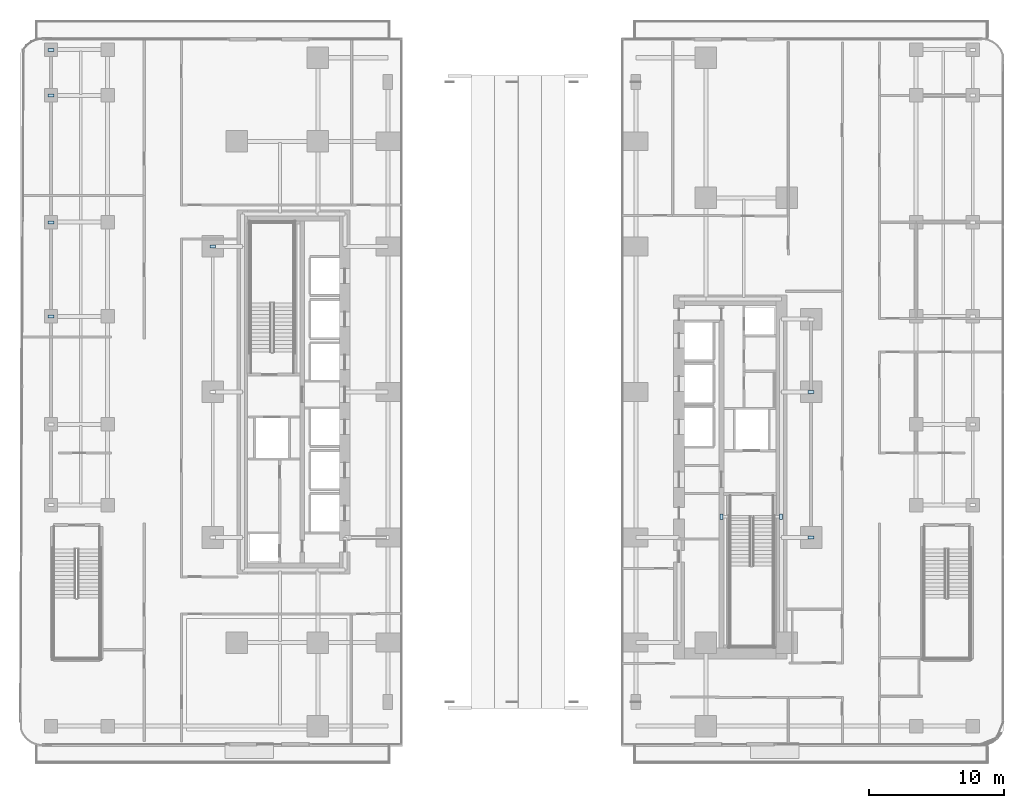
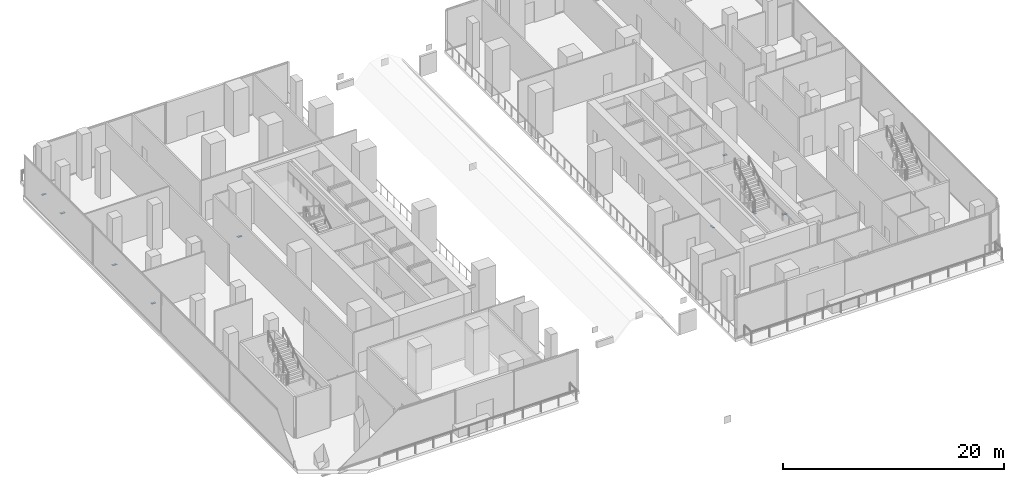
# One storey, part 8 of 32: 9 plates.
"""IFC4 building model written with IfcOpenShell, lengths in metres."""

from ifc_helpers import new_model, si_unit, direction, frame, origin, origin_2d, place, context, subcontext, project, spatial, rectangle, extrude, material, layer, layer_set, type_object, element, save


model = new_model("IFC4")

# Units and contexts
model_context = context("Model", 3, precision=1e-05, world=origin(), true_north=direction((0.0, 1.0)))
body_context = subcontext(model_context, "Body", "Model", "MODEL_VIEW")
ifc_project = project(units=[si_unit("LENGTHUNIT", "METRE"), si_unit("AREAUNIT", "SQUARE_METRE"), si_unit("VOLUMEUNIT", "CUBIC_METRE"), si_unit("PLANEANGLEUNIT", "RADIAN"), si_unit("MASSUNIT", "GRAM", prefix="KILO")], contexts=[model_context])

# Site, building, storey
site_placement = place(None, origin())
site = spatial("IfcSite", under=ifc_project, at=site_placement, CompositionType="ELEMENT")
building_placement = place(site_placement, origin())
building = spatial("IfcBuilding", under=site, at=building_placement, Name="Khairoan Windgate Tower", CompositionType="ELEMENT")
storey_placement = place(building_placement, frame((0.0, 0.0, 16.0)))
storey = spatial("IfcBuildingStorey", under=building, at=storey_placement, Name="L04", CompositionType="ELEMENT", Elevation=16.0)

# Plates
ifc_material = material(Name="Steel S355", Category="steel")
ifc_layer = layer(ifc_material, 0.0400390625, Name="Steel S355")
ifc_layer_set = layer_set([ifc_layer], Name="Steel S355")
plate_type = type_object("IfcPlateType", Name="Hollow Section End-Cap Plate PL-CAP40", PredefinedType="SHEET", material=ifc_layer_set)
for number, where, z_axis, x_axis, name in (
    (1, (-34.199951171875, 5.5849609375, -0.52001953125), (0.0, 0.0, 1.0), (0.0, 1.0, 0.0), "BM-SP-L04-044 steel end-cap plate 2"),
    (2, (-34.199951171875, 12.5849609375, -0.52001953125), (0.0, 0.0, 1.0), (0.0, 1.0, 0.0), "BM-SP-L04-045 steel end-cap plate 2"),
    (3, (-34.199951171875, 21.985107421875, -0.52001953125), (0.0, 0.0, 1.0), (0.0, 1.0, 0.0), "BM-SP-L04-046 steel end-cap plate 2"),
    (4, (-34.199951171875, 25.385009765625, -0.52001953125), (0.0, 0.0, 1.0), (0.0, 1.0, 0.0), "BM-SP-L04-047 steel end-cap plate 2"),
    (5, (-22.199951171875, 10.784912109375, -0.52001953125), (0.0, 0.0, 1.0), (0.0, 1.0, 0.0), "BM-SP-L04-054 steel end-cap plate 2"),
    (6, (22.199951171875, -10.784912109375, -0.52001953125), (0.0, 0.0, 1.0), (0.0, 1.0, 0.0), "BM-SP-L04-084 steel end-cap plate 1"),
    (7, (22.199951171875, -0.014892578125, -0.52001953125), (0.0, 0.0, 1.0), (0.0, 1.0, 0.0), "BM-SP-L04-084 steel end-cap plate 2"),
    (8, (15.56494140625, -9.260009765625, -0.52001953125), (0.0, 0.0, 1.0), (1.0, 0.0, 0.0), "BM-ST1-TRIM-L04 steel end-cap plate 1"),
    (9, (19.985107421875, -9.260009765625, -0.52001953125), (0.0, 0.0, 1.0), (1.0, 0.0, 0.0), "BM-ST1-TRIM-L04 steel end-cap plate 2"),
):
    element("IfcPlate", number, at=place(storey_placement, frame(where, z_axis=z_axis, x_axis=x_axis)), inside=storey, type_object=plate_type, Name=name, PredefinedType="SHEET", context=body_context, shape_type="SweptSolid", body=[
        extrude(rectangle(XDim=0.219970703125, YDim=0.419921875, at=origin_2d()), origin(), (0.0, 0.0, 1.0), 0.0400390625),
    ])

save(model, "model.ifc")
